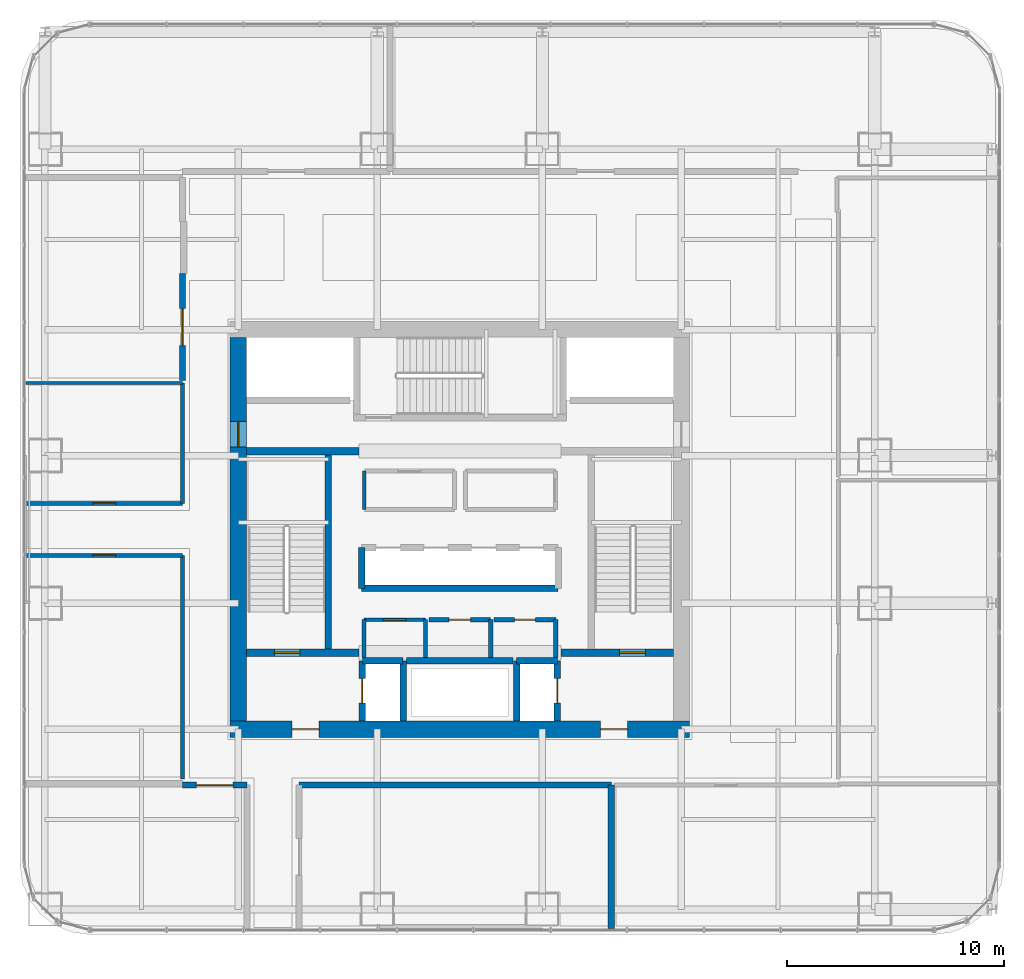
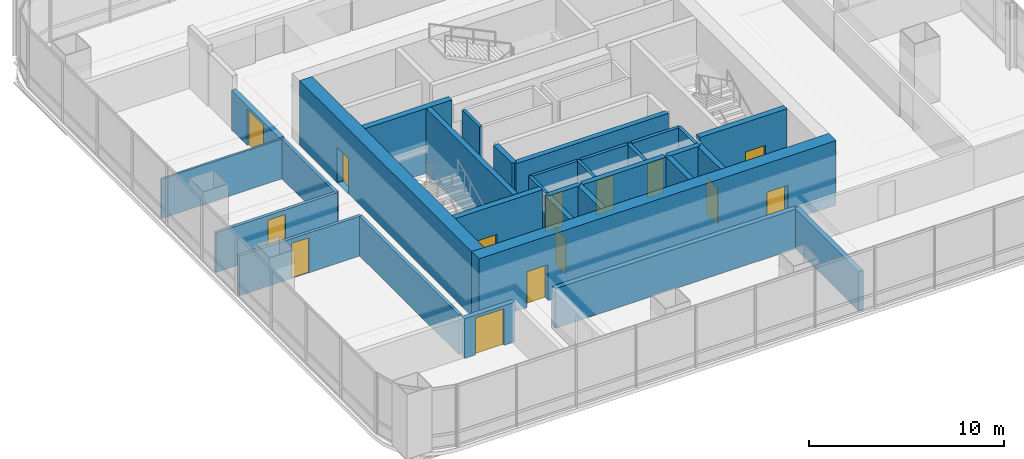
# One storey, part 27 of 34: 32 walls, 14 doors, 14 openings.
"""IFC4 building model written with IfcOpenShell, lengths in metres."""

from ifc_helpers import new_model, si_unit, direction, frame, frame_2d, origin, place, context, subcontext, project, spatial, rectangle, extrude, material, layer, layer_set, type_object, element, fill, save


model = new_model("IFC4")

# Units and contexts
model_context = context("Model", 3, precision=1e-05, world=origin(), true_north=direction((0.0, 1.0)))
body_context = subcontext(model_context, "Body", "Model", "MODEL_VIEW")
ifc_project = project(units=[si_unit("LENGTHUNIT", "METRE"), si_unit("AREAUNIT", "SQUARE_METRE"), si_unit("VOLUMEUNIT", "CUBIC_METRE"), si_unit("PLANEANGLEUNIT", "RADIAN"), si_unit("MASSUNIT", "GRAM", prefix="KILO")], contexts=[model_context])

# Site, building, storey
site_placement = place(None, origin())
site = spatial("IfcSite", under=ifc_project, at=site_placement, CompositionType="ELEMENT")
building_placement = place(site_placement, origin())
building = spatial("IfcBuilding", under=site, at=building_placement, Name="Punatoya Terracotta Tower", CompositionType="ELEMENT")
storey_placement = place(building_placement, frame((0.0, 0.0, 105.14990234375)))
storey = spatial("IfcBuildingStorey", under=building, at=storey_placement, Name="L24", CompositionType="ELEMENT", Elevation=105.14990234375)

# Walls
ifc_material_1 = material(Name="Concrete C40/50", Category="concrete")
ifc_layer_1 = layer(ifc_material_1, 0.280029296875)
ifc_layer_set_1 = layer_set([ifc_layer_1], Name="Concrete C40/50")
wall_type_1 = type_object("IfcWallType", Name="WL-AUD-280", PredefinedType="SOLIDWALL", material=ifc_layer_set_1)
wall_1_placement = place(storey_placement, frame((-7.39990234375, -11.77001953125, 0.0), z_axis=(0.0, 0.0, 1.0), x_axis=(1.0, 0.0, 0.0)))
element("IfcWall", 1, at=wall_1_placement, inside=storey, type_object=wall_type_1, Name="L24 Open-Plan Client Dining Salon Partition 17", PredefinedType="SOLIDWALL", context=body_context, shape_type="SweptSolid", body=[
    extrude(rectangle(XDim=14.369873046875, YDim=0.280029296875, at=frame_2d((7.18505859375, 0.0))), origin(), (0.0, 0.0, 1.0), 2.484130859375),
])
wall_2_placement = place(storey_placement, frame((6.969970703125, -11.77001953125, 0.0), z_axis=(0.0, 0.0, 1.0), x_axis=(0.0, -1.0, 0.0)))
element("IfcWall", 2, at=wall_2_placement, inside=storey, type_object=wall_type_1, Name="L24 Open-Plan Client Dining Salon Partition 18", PredefinedType="SOLIDWALL", context=body_context, shape_type="SweptSolid", body=[
    extrude(rectangle(XDim=6.60009765625, YDim=0.280029296875, at=frame_2d((3.300048828125, 0.0))), origin(), (0.0, 0.0, 1.0), 2.484130859375),
])

# Wall, opening, door
wall_3_placement = place(storey_placement, frame((-12.77001953125, -11.77001953125, 0.0), z_axis=(0.0, 0.0, 1.0), x_axis=(1.0, 0.0, 0.0)))
wall_3 = element("IfcWall", 3, at=wall_3_placement, inside=storey, type_object=wall_type_1, Name="L24 Open-Plan Executive Bistro Lounge Partition 20", PredefinedType="SOLIDWALL", context=body_context, shape_type="SweptSolid", body=[
    extrude(rectangle(XDim=2.969970703125, YDim=0.280029296875, at=frame_2d((1.48486328125, 0.0))), origin(), (0.0, 0.0, 1.0), 2.484130859375),
])
opening_1_placement = place(wall_3_placement, frame((0.635009765625, 0.0, 0.0)))
opening_1 = element("IfcOpeningElement", 4, at=opening_1_placement, cuts=wall_3, Name="Opening FD-D1", PredefinedType="OPENING", context=body_context, shape_type="SweptSolid", body=[
    extrude(rectangle(XDim=1.699951171875, YDim=2.300048828125, at=frame_2d((0.85009765625, 1.14990234375))), frame((0.0, 0.14990234375, 0.0), z_axis=(0.0, -1.0, 0.0), x_axis=(1.0, 0.0, 0.0)), (0.0, 0.0, 1.0), 0.300048828125),
])
ifc_material_2 = material(Name="Timber Teak Veneer Fire Leaf", Category="wood")
door_type_1 = type_object("IfcDoorType", Name="DR-DIN-1700", OperationType="NOTDEFINED", PredefinedType="DOOR", material=ifc_material_2)
door_1_placement = place(opening_1_placement, origin())
door_1 = element("IfcDoor", 5, at=door_1_placement, inside=storey, type_object=door_type_1, Name="L24 Open-Plan Executive Bistro Lounge Fire Door", OperationType="DOUBLE_DOOR_SINGLE_SWING", OverallHeight=2.300048828125, OverallWidth=1.699951171875, PredefinedType="DOOR", context=body_context, shape_type="SweptSolid", body=[
    extrude(rectangle(XDim=1.699951171875, YDim=2.300048828125, at=frame_2d((0.85009765625, 1.14990234375))), frame((0.0, 0.02490234375, 0.0), z_axis=(0.0, -1.0, 0.0), x_axis=(1.0, 0.0, 0.0)), (0.0, 0.0, 1.0), 0.050048828125),
])
fill(opening_1, door_1)

wall_4_placement = place(storey_placement, frame((-12.77001953125, 11.77001953125, 0.0), z_axis=(0.0, 0.0, 1.0), x_axis=(0.0, -1.0, 0.0)))
wall_4 = element("IfcWall", 6, at=wall_4_placement, inside=storey, type_object=wall_type_1, Name="L24 Waterfront Club Lounge Partition 35", PredefinedType="SOLIDWALL", context=body_context, shape_type="SweptSolid", body=[
    extrude(rectangle(XDim=4.912109375, YDim=0.280029296875, at=frame_2d((2.4560546875, 0.0))), origin(), (0.0, 0.0, 1.0), 2.484130859375),
])
opening_2_placement = place(wall_4_placement, frame((1.60595703125, 0.0, 0.0)))
opening_2 = element("IfcOpeningElement", 7, at=opening_2_placement, cuts=wall_4, Name="Opening FD-D1", PredefinedType="OPENING", context=body_context, shape_type="SweptSolid", body=[
    extrude(rectangle(XDim=1.699951171875, YDim=2.300048828125, at=frame_2d((0.85009765625, 1.14990234375))), frame((0.0, 0.14990234375, 0.0), z_axis=(0.0, -1.0, 0.0), x_axis=(1.0, 0.0, 0.0)), (0.0, 0.0, 1.0), 0.300048828125),
])
door_2_placement = place(opening_2_placement, origin())
door_2 = element("IfcDoor", 8, at=door_2_placement, inside=storey, type_object=door_type_1, Name="L24 Waterfront Club Lounge Fire Door", OperationType="DOUBLE_DOOR_SINGLE_SWING", OverallHeight=2.300048828125, OverallWidth=1.699951171875, PredefinedType="DOOR", context=body_context, shape_type="SweptSolid", body=[
    extrude(rectangle(XDim=1.699951171875, YDim=2.300048828125, at=frame_2d((0.85009765625, 1.14990234375))), frame((0.0, 0.02490234375, 0.0), z_axis=(0.0, -1.0, 0.0), x_axis=(1.0, 0.0, 0.0)), (0.0, 0.0, 1.0), 0.050048828125),
])
fill(opening_2, door_2)

# Wall, openings, doors
ifc_material_3 = material(Name="Concrete C60/75", Category="concrete")
ifc_layer_2 = layer(ifc_material_3, 0.75)
ifc_layer_set_2 = layer_set([ifc_layer_2], Name="Concrete C60/75")
wall_type_2 = type_object("IfcWallType", Name="WL-COR-750", PredefinedType="SHEAR", material=ifc_layer_set_2)
wall_5_placement = place(storey_placement, frame((10.574951171875, -9.199951171875, 0.0), z_axis=(0.0, 0.0, 1.0), x_axis=(-1.0, 0.0, 0.0)))
wall_5 = element("IfcWall", 9, at=wall_5_placement, inside=storey, type_object=wall_type_2, Name="L24 Core Shear Wall S", PredefinedType="SHEAR", context=body_context, shape_type="SweptSolid", body=[
    extrude(rectangle(XDim=21.14990234375, YDim=0.75, at=frame_2d((10.574951171875, 0.0))), origin(), (0.0, 0.0, 1.0), 4.050048828125),
])
opening_3_placement = place(wall_5_placement, frame((2.85009765625, 0.0, 0.0)))
opening_3 = element("IfcOpeningElement", 10, at=opening_3_placement, cuts=wall_5, Name="Opening FD-L1", PredefinedType="OPENING", context=body_context, shape_type="SweptSolid", body=[
    extrude(rectangle(XDim=1.25, YDim=2.25, at=frame_2d((0.625, 1.125))), frame((0.0, 0.385009765625, 0.0), z_axis=(0.0, -1.0, 0.0), x_axis=(1.0, 0.0, 0.0)), (0.0, 0.0, 1.0), 0.77001953125),
])
opening_4_placement = place(wall_5_placement, frame((17.050048828125, 0.0, 0.0)))
opening_4 = element("IfcOpeningElement", 11, at=opening_4_placement, cuts=wall_5, Name="Opening FD-L1", PredefinedType="OPENING", context=body_context, shape_type="SweptSolid", body=[
    extrude(rectangle(XDim=1.25, YDim=2.25, at=frame_2d((0.625, 1.125))), frame((0.0, 0.385009765625, 0.0), z_axis=(0.0, -1.0, 0.0), x_axis=(1.0, 0.0, 0.0)), (0.0, 0.0, 1.0), 0.77001953125),
])
ifc_material_4 = material(Name="Galvanised Steel Smokeproof Fire Door", Category="steel")
door_type_2 = type_object("IfcDoorType", Name="DR-FFL-1250", OperationType="NOTDEFINED", PredefinedType="DOOR", material=ifc_material_4)
door_3_placement = place(opening_3_placement, origin())
door_3 = element("IfcDoor", 12, at=door_3_placement, inside=storey, type_object=door_type_2, Name="L24 East Firefighting Lobby Corridor Fire Door", OperationType="SINGLE_SWING_LEFT", OverallHeight=2.25, OverallWidth=1.25, PredefinedType="DOOR", context=body_context, shape_type="SweptSolid", body=[
    extrude(rectangle(XDim=1.25, YDim=2.25, at=frame_2d((0.625, 1.125))), frame((0.0, 0.02490234375, 0.0), z_axis=(0.0, -1.0, 0.0), x_axis=(1.0, 0.0, 0.0)), (0.0, 0.0, 1.0), 0.050048828125),
])
fill(opening_3, door_3)
door_4_placement = place(opening_4_placement, origin())
door_4 = element("IfcDoor", 13, at=door_4_placement, inside=storey, type_object=door_type_2, Name="L24 West Firefighting Lobby Corridor Fire Door", OperationType="SINGLE_SWING_RIGHT", OverallHeight=2.25, OverallWidth=1.25, PredefinedType="DOOR", context=body_context, shape_type="SweptSolid", body=[
    extrude(rectangle(XDim=1.25, YDim=2.25, at=frame_2d((0.625, 1.125))), frame((0.0, 0.02490234375, 0.0), z_axis=(0.0, -1.0, 0.0), x_axis=(1.0, 0.0, 0.0)), (0.0, 0.0, 1.0), 0.050048828125),
])
fill(opening_4, door_4)

# Wall, opening, door
wall_6_placement = place(storey_placement, frame((-10.199951171875, -8.824951171875, 0.0), z_axis=(0.0, 0.0, 1.0), x_axis=(0.0, 1.0, 0.0)))
wall_6 = element("IfcWall", 14, at=wall_6_placement, inside=storey, type_object=wall_type_2, Name="L24 Core Shear Wall W", PredefinedType="SHEAR", context=body_context, shape_type="SweptSolid", body=[
    extrude(rectangle(XDim=17.64990234375, YDim=0.75, at=frame_2d((8.824951171875, 0.0))), origin(), (0.0, 0.0, 1.0), 4.050048828125),
])
opening_5_placement = place(wall_6_placement, frame((12.614990234375, 0.0, 0.0)))
opening_5 = element("IfcOpeningElement", 15, at=opening_5_placement, cuts=wall_6, Name="Opening SD-01", PredefinedType="OPENING", context=body_context, shape_type="SweptSolid", body=[
    extrude(rectangle(XDim=1.179931640625, YDim=2.199951171875, at=frame_2d((0.58984375, 1.10009765625))), frame((0.0, 0.385009765625, 0.0), z_axis=(0.0, -1.0, 0.0), x_axis=(1.0, 0.0, 0.0)), (0.0, 0.0, 1.0), 0.77001953125),
])
ifc_material_5 = material(Name="Galvanised Steel Pressurized Stair Fire Door", Category="steel")
door_type_3 = type_object("IfcDoorType", Name="DR-STR-1180", OperationType="NOTDEFINED", PredefinedType="DOOR", material=ifc_material_5)
door_5_placement = place(opening_5_placement, origin())
door_5 = element("IfcDoor", 16, at=door_5_placement, inside=storey, type_object=door_type_3, Name="L24 Central Lift Lobby West Fire Door", OperationType="SINGLE_SWING_LEFT", OverallHeight=2.199951171875, OverallWidth=1.179931640625, PredefinedType="DOOR", context=body_context, shape_type="SweptSolid", body=[
    extrude(rectangle(XDim=1.179931640625, YDim=2.199951171875, at=frame_2d((0.58984375, 1.10009765625))), frame((0.0, 0.02490234375, 0.0), z_axis=(0.0, -1.0, 0.0), x_axis=(1.0, 0.0, 0.0)), (0.0, 0.0, 1.0), 0.050048828125),
])
fill(opening_5, door_5)

# Wall
ifc_material_6 = material(Name="Gypsum Fireboard + Steel Stud", Category="steel")
ifc_layer_3 = layer(ifc_material_6, 0.179931640625)
ifc_layer_set_3 = layer_set([ifc_layer_3], Name="Gypsum Fireboard + Steel Stud")
wall_type_3 = type_object("IfcWallType", Name="WL-CORR-180", PredefinedType="PARTITIONING", material=ifc_layer_set_3)
wall_7_placement = place(storey_placement, frame((-1.580078125, -5.89990234375, 0.0), z_axis=(0.0, 0.0, 1.0), x_axis=(0.0, 1.0, 0.0)))
element("IfcWall", 17, at=wall_7_placement, inside=storey, type_object=wall_type_3, Name="L24 Core Quiet Wellness Room Partition 01", PredefinedType="PARTITIONING", context=body_context, shape_type="SweptSolid", body=[
    extrude(rectangle(XDim=1.739990234375, YDim=0.179931640625, at=frame_2d((0.8701171875, 0.0))), origin(), (0.0, 0.0, 1.0), 3.81005859375),
])

# Wall, opening, door
wall_8_placement = place(storey_placement, frame((-1.580078125, -4.159912109375, 0.0), z_axis=(0.0, 0.0, 1.0), x_axis=(-1.0, 0.0, 0.0)))
wall_8 = element("IfcWall", 18, at=wall_8_placement, inside=storey, type_object=wall_type_3, Name="L24 Core Quiet Wellness Room Partition 02", PredefinedType="PARTITIONING", context=body_context, shape_type="SweptSolid", body=[
    extrude(rectangle(XDim=2.83984375, YDim=0.179931640625, at=frame_2d((1.419921875, 0.0))), origin(), (0.0, 0.0, 1.0), 3.81005859375),
])
opening_6_placement = place(wall_8_placement, frame((0.89501953125, 0.0, 0.0)))
opening_6 = element("IfcOpeningElement", 19, at=opening_6_placement, cuts=wall_8, Name="Opening OD-01", PredefinedType="OPENING", context=body_context, shape_type="SweptSolid", body=[
    extrude(rectangle(XDim=1.050048828125, YDim=2.199951171875, at=frame_2d((0.52490234375, 1.10009765625))), frame((0.0, 0.099853515625, 0.0), z_axis=(0.0, -1.0, 0.0), x_axis=(1.0, 0.0, 0.0)), (0.0, 0.0, 1.0), 0.199951171875),
])
ifc_material_7 = material(Name="Bengal Teak Solid-Core Leaf")
door_type_4 = type_object("IfcDoorType", Name="DR-OFF-1050", OperationType="NOTDEFINED", PredefinedType="DOOR", material=ifc_material_7)
door_6_placement = place(opening_6_placement, origin())
door_6 = element("IfcDoor", 20, at=door_6_placement, inside=storey, type_object=door_type_4, Name="L24 Quiet Wellness Room Door", OperationType="SINGLE_SWING_RIGHT", OverallHeight=2.199951171875, OverallWidth=1.050048828125, PredefinedType="DOOR", context=body_context, shape_type="SweptSolid", body=[
    extrude(rectangle(XDim=1.050048828125, YDim=2.199951171875, at=frame_2d((0.52490234375, 1.10009765625))), frame((0.0, 0.02490234375, 0.0), z_axis=(0.0, -1.0, 0.0), x_axis=(1.0, 0.0, 0.0)), (0.0, 0.0, 1.0), 0.050048828125),
])
fill(opening_6, door_6)

# Walls
wall_9_placement = place(storey_placement, frame((-4.419921875, -4.159912109375, 0.0), z_axis=(0.0, 0.0, 1.0), x_axis=(0.0, -1.0, 0.0)))
element("IfcWall", 21, at=wall_9_placement, inside=storey, type_object=wall_type_3, Name="L24 Core Quiet Wellness Room Partition 03", PredefinedType="PARTITIONING", context=body_context, shape_type="SweptSolid", body=[
    extrude(rectangle(XDim=1.739990234375, YDim=0.179931640625, at=frame_2d((0.8701171875, 0.0))), origin(), (0.0, 0.0, 1.0), 3.81005859375),
])
wall_10_placement = place(storey_placement, frame((-4.39990234375, 2.679931640625, 0.0), z_axis=(0.0, 0.0, 1.0), x_axis=(0.0, -1.0, 0.0)))
element("IfcWall", 22, at=wall_10_placement, inside=storey, type_object=wall_type_3, Name="L24 West Core Focus Pod Partition 10", PredefinedType="PARTITIONING", context=body_context, shape_type="SweptSolid", body=[
    extrude(rectangle(XDim=1.760009765625, YDim=0.179931640625, at=frame_2d((0.8798828125, 0.0))), origin(), (0.0, 0.0, 1.0), 3.81005859375),
])

# Wall, opening, door
wall_11_placement = place(storey_placement, frame((-19.969970703125, -1.199951171875, 0.0), z_axis=(0.0, 0.0, 1.0), x_axis=(1.0, 0.0, 0.0)))
wall_11 = element("IfcWall", 23, at=wall_11_placement, inside=storey, type_object=wall_type_3, Name="L24 Open-Plan Visitor Reception Salon Partition 24", PredefinedType="PARTITIONING", context=body_context, shape_type="SweptSolid", body=[
    extrude(rectangle(XDim=7.199951171875, YDim=0.179931640625, at=frame_2d((3.60009765625, 0.0))), origin(), (0.0, 0.0, 1.0), 2.484130859375),
])
opening_7_placement = place(wall_11_placement, frame((3.074951171875, 0.0, 0.0)))
opening_7 = element("IfcOpeningElement", 24, at=opening_7_placement, cuts=wall_11, Name="Opening OD-01", PredefinedType="OPENING", context=body_context, shape_type="SweptSolid", body=[
    extrude(rectangle(XDim=1.050048828125, YDim=2.199951171875, at=frame_2d((0.52490234375, 1.10009765625))), frame((0.0, 0.099853515625, 0.0), z_axis=(0.0, -1.0, 0.0), x_axis=(1.0, 0.0, 0.0)), (0.0, 0.0, 1.0), 0.199951171875),
])
door_7_placement = place(opening_7_placement, origin())
door_7 = element("IfcDoor", 25, at=door_7_placement, inside=storey, type_object=door_type_4, Name="L24 Open-Plan Visitor Reception Salon Door", OperationType="SINGLE_SWING_RIGHT", OverallHeight=2.199951171875, OverallWidth=1.050048828125, PredefinedType="DOOR", context=body_context, shape_type="SweptSolid", body=[
    extrude(rectangle(XDim=1.050048828125, YDim=2.199951171875, at=frame_2d((0.52490234375, 1.10009765625))), frame((0.0, 0.02490234375, 0.0), z_axis=(0.0, -1.0, 0.0), x_axis=(1.0, 0.0, 0.0)), (0.0, 0.0, 1.0), 0.050048828125),
])
fill(opening_7, door_7)

# Wall
wall_12_placement = place(storey_placement, frame((-12.77001953125, -1.199951171875, 0.0), z_axis=(0.0, 0.0, 1.0), x_axis=(0.0, -1.0, 0.0)))
element("IfcWall", 26, at=wall_12_placement, inside=storey, type_object=wall_type_3, Name="L24 Open-Plan Visitor Reception Salon Partition 25", PredefinedType="PARTITIONING", context=body_context, shape_type="SweptSolid", body=[
    extrude(rectangle(XDim=10.2900390625, YDim=0.179931640625, at=frame_2d((5.14501953125, 0.0))), origin(), (0.0, 0.0, 1.0), 2.484130859375),
])

# Wall, opening, door
wall_13_placement = place(storey_placement, frame((-12.77001953125, 1.199951171875, 0.0), z_axis=(0.0, 0.0, 1.0), x_axis=(-1.0, 0.0, 0.0)))
wall_13 = element("IfcWall", 27, at=wall_13_placement, inside=storey, type_object=wall_type_3, Name="L24 Open-Plan Wellness Relaxation Lounge Partition 28", PredefinedType="PARTITIONING", context=body_context, shape_type="SweptSolid", body=[
    extrude(rectangle(XDim=7.199951171875, YDim=0.179931640625, at=frame_2d((3.60009765625, 0.0))), origin(), (0.0, 0.0, 1.0), 2.484130859375),
])
opening_8_placement = place(wall_13_placement, frame((3.074951171875, 0.0, 0.0)))
opening_8 = element("IfcOpeningElement", 28, at=opening_8_placement, cuts=wall_13, Name="Opening OD-01", PredefinedType="OPENING", context=body_context, shape_type="SweptSolid", body=[
    extrude(rectangle(XDim=1.050048828125, YDim=2.199951171875, at=frame_2d((0.52490234375, 1.10009765625))), frame((0.0, 0.099853515625, 0.0), z_axis=(0.0, -1.0, 0.0), x_axis=(1.0, 0.0, 0.0)), (0.0, 0.0, 1.0), 0.199951171875),
])
door_8_placement = place(opening_8_placement, origin())
door_8 = element("IfcDoor", 29, at=door_8_placement, inside=storey, type_object=door_type_4, Name="L24 Open-Plan Wellness Relaxation Lounge Door", OperationType="SINGLE_SWING_RIGHT", OverallHeight=2.199951171875, OverallWidth=1.050048828125, PredefinedType="DOOR", context=body_context, shape_type="SweptSolid", body=[
    extrude(rectangle(XDim=1.050048828125, YDim=2.199951171875, at=frame_2d((0.52490234375, 1.10009765625))), frame((0.0, 0.02490234375, 0.0), z_axis=(0.0, -1.0, 0.0), x_axis=(1.0, 0.0, 0.0)), (0.0, 0.0, 1.0), 0.050048828125),
])
fill(opening_8, door_8)

# Walls
wall_14_placement = place(storey_placement, frame((-12.77001953125, 6.738037109375, 0.0), z_axis=(0.0, 0.0, 1.0), x_axis=(0.0, -1.0, 0.0)))
element("IfcWall", 30, at=wall_14_placement, inside=storey, type_object=wall_type_3, Name="L24 Open-Plan Wellness Relaxation Lounge Partition 30", PredefinedType="PARTITIONING", context=body_context, shape_type="SweptSolid", body=[
    extrude(rectangle(XDim=5.5380859375, YDim=0.179931640625, at=frame_2d((2.76904296875, 0.0))), origin(), (0.0, 0.0, 1.0), 2.484130859375),
])
ifc_layer_4 = layer(ifc_material_1, 0.199951171875)
ifc_layer_set_4 = layer_set([ifc_layer_4], Name="Concrete C40/50")
wall_type_4 = type_object("IfcWallType", Name="WL-INT-200", PredefinedType="SOLIDWALL", material=ifc_layer_set_4)
wall_15_placement = place(storey_placement, frame((1.419921875, -5.89990234375, 0.0), z_axis=(0.0, 0.0, 1.0), x_axis=(0.0, 1.0, 0.0)))
element("IfcWall", 31, at=wall_15_placement, inside=storey, type_object=wall_type_4, Name="L24 Accessible Universal Washroom Partition 04", PredefinedType="SOLIDWALL", context=body_context, shape_type="SweptSolid", body=[
    extrude(rectangle(XDim=1.739990234375, YDim=0.199951171875, at=frame_2d((0.8701171875, 0.0))), origin(), (0.0, 0.0, 1.0), 3.81005859375),
])

# Wall, opening, door
wall_16_placement = place(storey_placement, frame((1.419921875, -4.159912109375, 0.0), z_axis=(0.0, 0.0, 1.0), x_axis=(-1.0, 0.0, 0.0)))
wall_16 = element("IfcWall", 32, at=wall_16_placement, inside=storey, type_object=wall_type_4, Name="L24 Accessible Universal Washroom Partition 05", PredefinedType="SOLIDWALL", context=body_context, shape_type="SweptSolid", body=[
    extrude(rectangle(XDim=2.83984375, YDim=0.199951171875, at=frame_2d((1.419921875, 0.0))), origin(), (0.0, 0.0, 1.0), 3.81005859375),
])
opening_9_placement = place(wall_16_placement, frame((0.919921875, 0.0, 0.0)))
opening_9 = element("IfcOpeningElement", 33, at=opening_9_placement, cuts=wall_16, Name="Opening AWD-1", PredefinedType="OPENING", context=body_context, shape_type="SweptSolid", body=[
    extrude(rectangle(XDim=1.0, YDim=2.14990234375, at=frame_2d((0.5, 1.074951171875))), frame((0.0, 0.10986328125, 0.0), z_axis=(0.0, -1.0, 0.0), x_axis=(1.0, 0.0, 0.0)), (0.0, 0.0, 1.0), 0.219970703125),
])
ifc_material_8 = material(Name="Bengal Teak Accessible WC Leaf")
door_type_5 = type_object("IfcDoorType", Name="DR-ACC-1000", OperationType="NOTDEFINED", PredefinedType="DOOR", material=ifc_material_8)
door_9_placement = place(opening_9_placement, origin())
door_9 = element("IfcDoor", 34, at=door_9_placement, inside=storey, type_object=door_type_5, Name="L24 Accessible Universal Washroom Door", OperationType="SINGLE_SWING_LEFT", OverallHeight=2.14990234375, OverallWidth=1.0, PredefinedType="DOOR", context=body_context, shape_type="SweptSolid", body=[
    extrude(rectangle(XDim=1.0, YDim=2.14990234375, at=frame_2d((0.5, 1.074951171875))), frame((0.0, 0.02490234375, 0.0), z_axis=(0.0, -1.0, 0.0), x_axis=(1.0, 0.0, 0.0)), (0.0, 0.0, 1.0), 0.050048828125),
])
fill(opening_9, door_9)

# Wall
wall_17_placement = place(storey_placement, frame((4.419921875, -5.89990234375, 0.0), z_axis=(0.0, 0.0, 1.0), x_axis=(0.0, 1.0, 0.0)))
element("IfcWall", 35, at=wall_17_placement, inside=storey, type_object=wall_type_4, Name="L24 All-Gender Washroom Partition 06", PredefinedType="SOLIDWALL", context=body_context, shape_type="SweptSolid", body=[
    extrude(rectangle(XDim=1.739990234375, YDim=0.199951171875, at=frame_2d((0.8701171875, 0.0))), origin(), (0.0, 0.0, 1.0), 3.81005859375),
])

# Wall, opening, door
wall_18_placement = place(storey_placement, frame((4.419921875, -4.159912109375, 0.0), z_axis=(0.0, 0.0, 1.0), x_axis=(-1.0, 0.0, 0.0)))
wall_18 = element("IfcWall", 36, at=wall_18_placement, inside=storey, type_object=wall_type_4, Name="L24 All-Gender Washroom Partition 07", PredefinedType="SOLIDWALL", context=body_context, shape_type="SweptSolid", body=[
    extrude(rectangle(XDim=2.83984375, YDim=0.199951171875, at=frame_2d((1.419921875, 0.0))), origin(), (0.0, 0.0, 1.0), 3.81005859375),
])
opening_10_placement = place(wall_18_placement, frame((0.945068359375, 0.0, 0.0)))
opening_10 = element("IfcOpeningElement", 37, at=opening_10_placement, cuts=wall_18, Name="Opening WD-01", PredefinedType="OPENING", context=body_context, shape_type="SweptSolid", body=[
    extrude(rectangle(XDim=0.949951171875, YDim=2.14990234375, at=frame_2d((0.47509765625, 1.074951171875))), frame((0.0, 0.10986328125, 0.0), z_axis=(0.0, -1.0, 0.0), x_axis=(1.0, 0.0, 0.0)), (0.0, 0.0, 1.0), 0.219970703125),
])
ifc_material_9 = material(Name="Moisture-Resistant Laminate Timber Leaf", Category="wood")
door_type_6 = type_object("IfcDoorType", Name="DR-WC-950", OperationType="NOTDEFINED", PredefinedType="DOOR", material=ifc_material_9)
door_10_placement = place(opening_10_placement, origin())
door_10 = element("IfcDoor", 38, at=door_10_placement, inside=storey, type_object=door_type_6, Name="L24 All-Gender Washroom Door", OperationType="SINGLE_SWING_RIGHT", OverallHeight=2.14990234375, OverallWidth=0.949951171875, PredefinedType="DOOR", context=body_context, shape_type="SweptSolid", body=[
    extrude(rectangle(XDim=0.949951171875, YDim=2.14990234375, at=frame_2d((0.47509765625, 1.074951171875))), frame((0.0, 0.02490234375, 0.0), z_axis=(0.0, -1.0, 0.0), x_axis=(1.0, 0.0, 0.0)), (0.0, 0.0, 1.0), 0.050048828125),
])
fill(opening_10, door_10)

# Walls
ifc_material_10 = material(Name="Gypsum Partition + Steel Stud", Category="steel")
ifc_layer_5 = layer(ifc_material_10, 0.1201171875)
ifc_layer_set_5 = layer_set([ifc_layer_5], Name="Gypsum Partition + Steel Stud")
wall_type_5 = type_object("IfcWallType", Name="WL-OFF-120", PredefinedType="PARTITIONING", material=ifc_layer_set_5)
wall_19_placement = place(storey_placement, frame((-19.969970703125, 6.738037109375, 0.0), z_axis=(0.0, 0.0, 1.0), x_axis=(1.0, 0.0, 0.0)))
element("IfcWall", 39, at=wall_19_placement, inside=storey, type_object=wall_type_5, Name="L24 Open-Plan Wellness Relaxation Lounge Partition 29", PredefinedType="PARTITIONING", context=body_context, shape_type="SweptSolid", body=[
    extrude(rectangle(XDim=7.199951171875, YDim=0.1201171875, at=frame_2d((3.60009765625, 0.0))), origin(), (0.0, 0.0, 1.0), 2.484130859375),
])
ifc_layer_6 = layer(ifc_material_1, 0.300048828125)
ifc_layer_set_6 = layer_set([ifc_layer_6], Name="Concrete C40/50")
wall_type_6 = type_object("IfcWallType", Name="WL-SHF-300", PredefinedType="SOLIDWALL", material=ifc_layer_set_6)
wall_20_placement = place(storey_placement, frame((-6.050048828125, -5.5, 0.0), z_axis=(0.0, 0.0, 1.0), x_axis=(0.0, 1.0, 0.0)))
element("IfcWall", 40, at=wall_20_placement, inside=storey, type_object=wall_type_6, Name="L24 Structural Stair Shaft Wall SW-ST1-E", PredefinedType="SOLIDWALL", context=body_context, shape_type="SweptSolid", body=[
    extrude(rectangle(XDim=8.949951171875, YDim=0.300048828125, at=frame_2d((4.47509765625, 0.0))), origin(), (0.0, 0.0, 1.0), 4.050048828125),
])

# Wall, opening, door
wall_21_placement = place(storey_placement, frame((-4.489990234375, -8.820068359375, 0.0), z_axis=(0.0, 0.0, 1.0), x_axis=(0.0, 1.0, 0.0)))
wall_21 = element("IfcWall", 41, at=wall_21_placement, inside=storey, type_object=wall_type_6, Name="L24 FFL-1 Front Hoistway Wall", PredefinedType="SOLIDWALL", context=body_context, shape_type="SweptSolid", body=[
    extrude(rectangle(XDim=2.77001953125, YDim=0.300048828125, at=frame_2d((1.385009765625, 0.0))), origin(), (0.0, 0.0, 1.0), 3.81005859375),
])
opening_11_placement = place(wall_21_placement, frame((0.824951171875, 0.0, 0.0)))
opening_11 = element("IfcOpeningElement", 42, at=opening_11_placement, cuts=wall_21, Name="Opening LD-02", PredefinedType="OPENING", context=body_context, shape_type="SweptSolid", body=[
    extrude(rectangle(XDim=1.1201171875, YDim=2.25, at=frame_2d((0.56005859375, 1.125))), frame((0.0, 0.159912109375, 0.0), z_axis=(0.0, -1.0, 0.0), x_axis=(1.0, 0.0, 0.0)), (0.0, 0.0, 1.0), 0.320068359375),
])
ifc_material_11 = material(Name="Stainless Steel Lift Landing Door", Category="steel")
door_type_7 = type_object("IfcDoorType", Name="DR-LND-1120", OperationType="NOTDEFINED", PredefinedType="DOOR", material=ifc_material_11)
door_11_placement = place(opening_11_placement, origin())
door_11 = element("IfcDoor", 43, at=door_11_placement, inside=storey, type_object=door_type_7, Name="L24 Firefighting Lift FFL-1 Sliding Landing Door", OperationType="SLIDING_TO_LEFT", OverallHeight=2.25, OverallWidth=1.1201171875, PredefinedType="DOOR", context=body_context, shape_type="SweptSolid", body=[
    extrude(rectangle(XDim=1.1201171875, YDim=2.25, at=frame_2d((0.56005859375, 1.125))), frame((0.0, 0.02490234375, 0.0), z_axis=(0.0, -1.0, 0.0), x_axis=(1.0, 0.0, 0.0)), (0.0, 0.0, 1.0), 0.050048828125),
])
fill(opening_11, door_11)

# Walls
wall_22_placement = place(storey_placement, frame((-2.610107421875, -8.820068359375, 0.0), z_axis=(0.0, 0.0, 1.0), x_axis=(0.0, 1.0, 0.0)))
element("IfcWall", 44, at=wall_22_placement, inside=storey, type_object=wall_type_6, Name="L24 FFL-1 Rear Hoistway Wall", PredefinedType="SOLIDWALL", context=body_context, shape_type="SweptSolid", body=[
    extrude(rectangle(XDim=2.77001953125, YDim=0.300048828125, at=frame_2d((1.385009765625, 0.0))), origin(), (0.0, 0.0, 1.0), 3.81005859375),
])
wall_23_placement = place(storey_placement, frame((-4.489990234375, -6.050048828125, 0.0), z_axis=(0.0, 0.0, 1.0), x_axis=(1.0, 0.0, 0.0)))
element("IfcWall", 45, at=wall_23_placement, inside=storey, type_object=wall_type_6, Name="L24 FFL-1 North Hoistway Wall", PredefinedType="SOLIDWALL", context=body_context, shape_type="SweptSolid", body=[
    extrude(rectangle(XDim=1.8798828125, YDim=0.300048828125, at=frame_2d((0.93994140625, 0.0))), origin(), (0.0, 0.0, 1.0), 3.81005859375),
])

# Wall, opening, door
wall_24_placement = place(storey_placement, frame((4.489990234375, -8.820068359375, 0.0), z_axis=(0.0, 0.0, 1.0), x_axis=(0.0, 1.0, 0.0)))
wall_24 = element("IfcWall", 46, at=wall_24_placement, inside=storey, type_object=wall_type_6, Name="L24 FFL-2 Front Hoistway Wall", PredefinedType="SOLIDWALL", context=body_context, shape_type="SweptSolid", body=[
    extrude(rectangle(XDim=2.77001953125, YDim=0.300048828125, at=frame_2d((1.385009765625, 0.0))), origin(), (0.0, 0.0, 1.0), 3.81005859375),
])
opening_12_placement = place(wall_24_placement, frame((0.824951171875, 0.0, 0.0)))
opening_12 = element("IfcOpeningElement", 47, at=opening_12_placement, cuts=wall_24, Name="Opening LD-02", PredefinedType="OPENING", context=body_context, shape_type="SweptSolid", body=[
    extrude(rectangle(XDim=1.1201171875, YDim=2.25, at=frame_2d((0.56005859375, 1.125))), frame((0.0, 0.159912109375, 0.0), z_axis=(0.0, -1.0, 0.0), x_axis=(1.0, 0.0, 0.0)), (0.0, 0.0, 1.0), 0.320068359375),
])
door_12_placement = place(opening_12_placement, origin())
door_12 = element("IfcDoor", 48, at=door_12_placement, inside=storey, type_object=door_type_7, Name="L24 Firefighting Lift FFL-2 Sliding Landing Door", OperationType="SLIDING_TO_RIGHT", OverallHeight=2.25, OverallWidth=1.1201171875, PredefinedType="DOOR", context=body_context, shape_type="SweptSolid", body=[
    extrude(rectangle(XDim=1.1201171875, YDim=2.25, at=frame_2d((0.56005859375, 1.125))), frame((0.0, 0.02490234375, 0.0), z_axis=(0.0, -1.0, 0.0), x_axis=(1.0, 0.0, 0.0)), (0.0, 0.0, 1.0), 0.050048828125),
])
fill(opening_12, door_12)

# Walls
wall_25_placement = place(storey_placement, frame((2.610107421875, -8.820068359375, 0.0), z_axis=(0.0, 0.0, 1.0), x_axis=(0.0, 1.0, 0.0)))
element("IfcWall", 49, at=wall_25_placement, inside=storey, type_object=wall_type_6, Name="L24 FFL-2 Rear Hoistway Wall", PredefinedType="SOLIDWALL", context=body_context, shape_type="SweptSolid", body=[
    extrude(rectangle(XDim=2.77001953125, YDim=0.300048828125, at=frame_2d((1.385009765625, 0.0))), origin(), (0.0, 0.0, 1.0), 3.81005859375),
])
wall_26_placement = place(storey_placement, frame((2.610107421875, -6.050048828125, 0.0), z_axis=(0.0, 0.0, 1.0), x_axis=(1.0, 0.0, 0.0)))
element("IfcWall", 50, at=wall_26_placement, inside=storey, type_object=wall_type_6, Name="L24 FFL-2 North Hoistway Wall", PredefinedType="SOLIDWALL", context=body_context, shape_type="SweptSolid", body=[
    extrude(rectangle(XDim=1.8798828125, YDim=0.300048828125, at=frame_2d((0.93994140625, 0.0))), origin(), (0.0, 0.0, 1.0), 3.81005859375),
])
wall_27_placement = place(storey_placement, frame((-4.52001953125, -2.719970703125, 0.0), z_axis=(0.0, 0.0, 1.0), x_axis=(1.0, 0.0, 0.0)))
element("IfcWall", 51, at=wall_27_placement, inside=storey, type_object=wall_type_6, Name="L24 South Lift Bank Rear Shaft Wall", PredefinedType="SOLIDWALL", context=body_context, shape_type="SweptSolid", body=[
    extrude(rectangle(XDim=9.0400390625, YDim=0.300048828125, at=frame_2d((4.52001953125, 0.0))), origin(), (0.0, 0.0, 1.0), 3.81005859375),
])
wall_28_placement = place(storey_placement, frame((-4.52001953125, -2.719970703125, 0.0), z_axis=(0.0, 0.0, 1.0), x_axis=(0.0, 1.0, 0.0)))
element("IfcWall", 52, at=wall_28_placement, inside=storey, type_object=wall_type_6, Name="L24 South Lift Bank West End Wall", PredefinedType="SOLIDWALL", context=body_context, shape_type="SweptSolid", body=[
    extrude(rectangle(XDim=1.8798828125, YDim=0.300048828125, at=frame_2d((0.93994140625, 0.0))), origin(), (0.0, 0.0, 1.0), 3.81005859375),
])
wall_29_placement = place(storey_placement, frame((-2.449951171875, -6.050048828125, 0.0), z_axis=(0.0, 0.0, 1.0), x_axis=(1.0, 0.0, 0.0)))
element("IfcWall", 53, at=wall_29_placement, inside=storey, type_object=wall_type_6, Name="L24 Observation Shuttle Rear Hoistway Wall", PredefinedType="SOLIDWALL", context=body_context, shape_type="SweptSolid", body=[
    extrude(rectangle(XDim=4.89990234375, YDim=0.300048828125, at=frame_2d((2.449951171875, 0.0))), origin(), (0.0, 0.0, 1.0), 3.81005859375),
])

# Wall, opening, door
ifc_material_12 = material(Name="Concrete C50/60", Category="concrete")
ifc_layer_7 = layer(ifc_material_12, 0.35009765625)
ifc_layer_set_7 = layer_set([ifc_layer_7], Name="Concrete C50/60")
wall_type_7 = type_object("IfcWallType", Name="WL-SHF-350", PredefinedType="SOLIDWALL", material=ifc_layer_set_7)
wall_30_placement = place(storey_placement, frame((-9.824951171875, -5.679931640625, 0.0), z_axis=(0.0, 0.0, 1.0), x_axis=(1.0, 0.0, 0.0)))
wall_30 = element("IfcWall", 54, at=wall_30_placement, inside=storey, type_object=wall_type_7, Name="L24 Core Web Wall CSW-L", PredefinedType="SOLIDWALL", context=body_context, shape_type="SweptSolid", body=[
    extrude(rectangle(XDim=5.175048828125, YDim=0.35009765625, at=frame_2d((2.58740234375, 0.0))), origin(), (0.0, 0.0, 1.0), 4.050048828125),
])
opening_13_placement = place(wall_30_placement, frame((1.284912109375, 0.0, 0.0)))
opening_13 = element("IfcOpeningElement", 55, at=opening_13_placement, cuts=wall_30, Name="Opening SD-01", PredefinedType="OPENING", context=body_context, shape_type="SweptSolid", body=[
    extrude(rectangle(XDim=1.179931640625, YDim=2.199951171875, at=frame_2d((0.58984375, 1.10009765625))), frame((0.0, 0.18505859375, 0.0), z_axis=(0.0, -1.0, 0.0), x_axis=(1.0, 0.0, 0.0)), (0.0, 0.0, 1.0), 0.3701171875),
])
door_13_placement = place(opening_13_placement, origin())
door_13 = element("IfcDoor", 56, at=door_13_placement, inside=storey, type_object=door_type_3, Name="L24 Stair ST-1 Smokeproof Lobby Fire Door", OperationType="SINGLE_SWING_LEFT", OverallHeight=2.199951171875, OverallWidth=1.179931640625, PredefinedType="DOOR", context=body_context, shape_type="SweptSolid", body=[
    extrude(rectangle(XDim=1.179931640625, YDim=2.199951171875, at=frame_2d((0.58984375, 1.10009765625))), frame((0.0, 0.02490234375, 0.0), z_axis=(0.0, -1.0, 0.0), x_axis=(1.0, 0.0, 0.0)), (0.0, 0.0, 1.0), 0.050048828125),
])
fill(opening_13, door_13)

wall_31_placement = place(storey_placement, frame((4.64990234375, -5.679931640625, 0.0), z_axis=(0.0, 0.0, 1.0), x_axis=(1.0, 0.0, 0.0)))
wall_31 = element("IfcWall", 57, at=wall_31_placement, inside=storey, type_object=wall_type_7, Name="L24 Core Web Wall CSW-R", PredefinedType="SOLIDWALL", context=body_context, shape_type="SweptSolid", body=[
    extrude(rectangle(XDim=5.175048828125, YDim=0.35009765625, at=frame_2d((2.58740234375, 0.0))), origin(), (0.0, 0.0, 1.0), 4.050048828125),
])
opening_14_placement = place(wall_31_placement, frame((2.7099609375, 0.0, 0.0)))
opening_14 = element("IfcOpeningElement", 58, at=opening_14_placement, cuts=wall_31, Name="Opening SD-01", PredefinedType="OPENING", context=body_context, shape_type="SweptSolid", body=[
    extrude(rectangle(XDim=1.179931640625, YDim=2.199951171875, at=frame_2d((0.58984375, 1.10009765625))), frame((0.0, 0.18505859375, 0.0), z_axis=(0.0, -1.0, 0.0), x_axis=(1.0, 0.0, 0.0)), (0.0, 0.0, 1.0), 0.3701171875),
])
door_14_placement = place(opening_14_placement, origin())
door_14 = element("IfcDoor", 59, at=door_14_placement, inside=storey, type_object=door_type_3, Name="L24 Stair ST-2 Smokeproof Lobby Fire Door", OperationType="SINGLE_SWING_RIGHT", OverallHeight=2.199951171875, OverallWidth=1.179931640625, PredefinedType="DOOR", context=body_context, shape_type="SweptSolid", body=[
    extrude(rectangle(XDim=1.179931640625, YDim=2.199951171875, at=frame_2d((0.58984375, 1.10009765625))), frame((0.0, 0.02490234375, 0.0), z_axis=(0.0, -1.0, 0.0), x_axis=(1.0, 0.0, 0.0)), (0.0, 0.0, 1.0), 0.050048828125),
])
fill(opening_14, door_14)

# Wall
wall_32_placement = place(storey_placement, frame((-9.824951171875, 3.60009765625, 0.0), z_axis=(0.0, 0.0, 1.0), x_axis=(1.0, 0.0, 0.0)))
element("IfcWall", 60, at=wall_32_placement, inside=storey, type_object=wall_type_7, Name="L24 Core Web Wall CNW-L", PredefinedType="SOLIDWALL", context=body_context, shape_type="SweptSolid", body=[
    extrude(rectangle(XDim=5.175048828125, YDim=0.35009765625, at=frame_2d((2.58740234375, 0.0))), origin(), (0.0, 0.0, 1.0), 4.050048828125),
])

save(model, "model.ifc")
